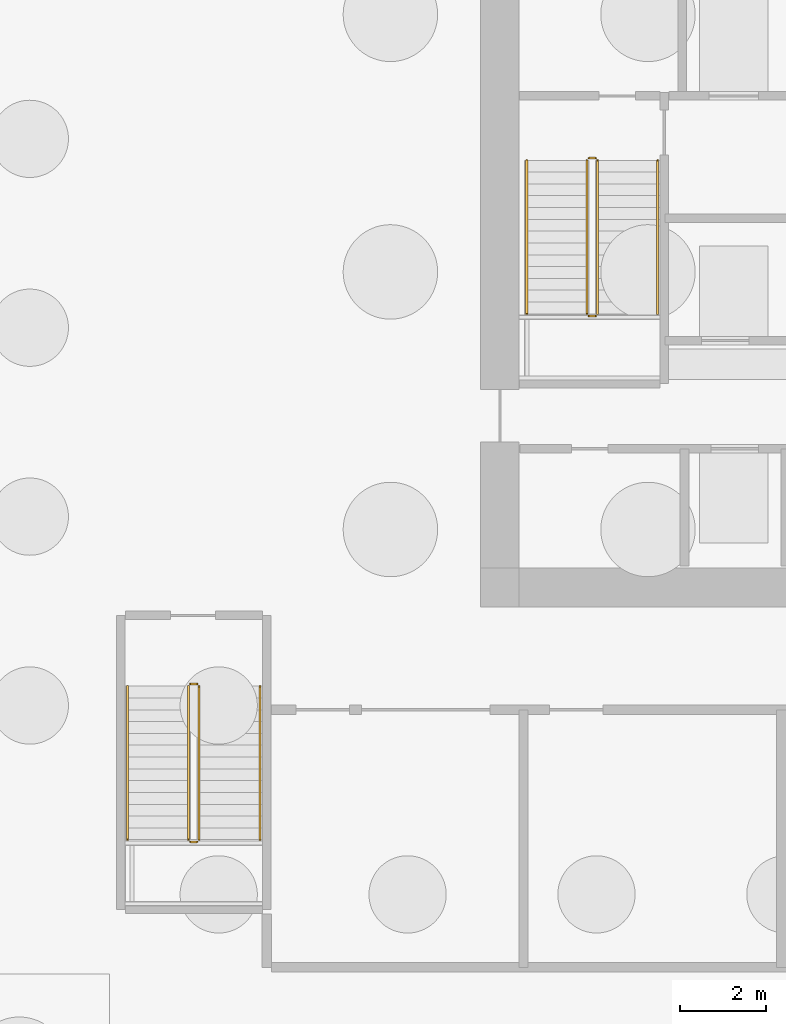
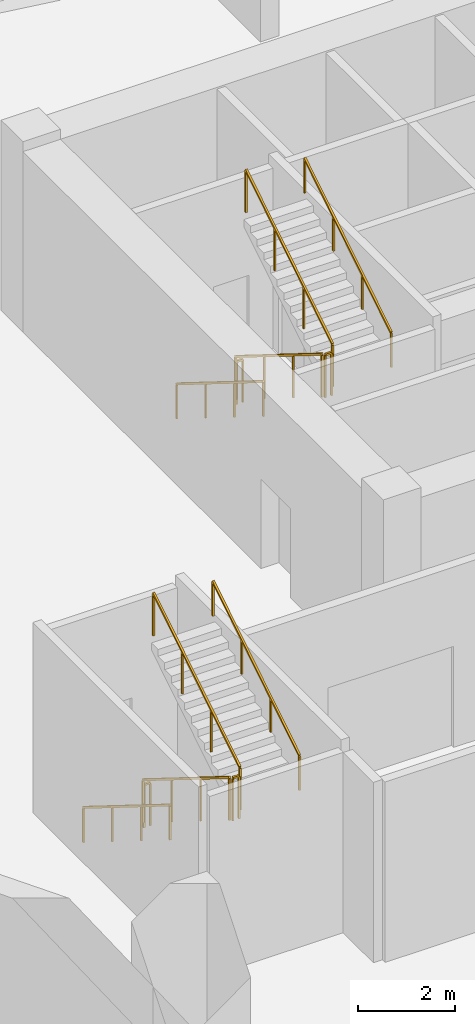
# One storey, part 6 of 9: 12 railings.
"""IFC4 building model written with IfcOpenShell, lengths in metres."""

from ifc_helpers import new_model, si_unit, direction, frame, origin, origin_2d, place, context, subcontext, project, spatial, rectangle, extrude, material, type_object, element, save


model = new_model("IFC4")

# Units and contexts
model_context = context("Model", 3, precision=1e-05, world=origin(), true_north=direction((0.0, 1.0)))
body_context = subcontext(model_context, "Body", "Model", "MODEL_VIEW")
ifc_project = project(units=[si_unit("LENGTHUNIT", "METRE"), si_unit("AREAUNIT", "SQUARE_METRE"), si_unit("VOLUMEUNIT", "CUBIC_METRE"), si_unit("PLANEANGLEUNIT", "RADIAN"), si_unit("MASSUNIT", "GRAM", prefix="KILO")], contexts=[model_context])

# Site, building, storey
site_placement = place(None, origin())
site = spatial("IfcSite", under=ifc_project, at=site_placement, CompositionType="ELEMENT")
building_placement = place(site_placement, origin())
building = spatial("IfcBuilding", under=site, at=building_placement, Name="Cinnabar Lancet Tower", CompositionType="ELEMENT")
storey_placement = place(building_placement, frame((0.0, 0.0, -4.800048828125)))
storey = spatial("IfcBuildingStorey", under=building, at=storey_placement, Name="B1", CompositionType="ELEMENT", Elevation=-4.800048828125)

# Railings
ifc_material_1 = material(Name="Painted galvanized steel balustrade", Category="steel")
railing_type_1 = type_object("IfcRailingType", Name="GUARD-STAIR", PredefinedType="GUARDRAIL", material=ifc_material_1)
railing_1_placement = place(storey_placement, frame((24.97509765625, 28.39990234375, 0.17138671875)))
element("IfcRailing", 1, at=railing_1_placement, inside=storey, type_object=railing_type_1, Name="B1 ST-1 stair guard 1", PredefinedType="GUARDRAIL", context=body_context, shape_type="SweptSolid", body=[
    extrude(rectangle(XDim=0.048095703125, YDim=0.048095703125, at=origin_2d()), frame((0.0, 0.0, 1.076171875), z_axis=(0.0, -0.848593568547, 0.529045324542), x_axis=(1.0, 0.0, 0.0)), (0.0, 0.0, 1.0), 4.212890625),
    extrude(rectangle(XDim=0.0419921875, YDim=0.0419921875, at=origin_2d()), origin(), (0.0, 0.0, 1.0), 1.052001953125),
    extrude(rectangle(XDim=0.0419921875, YDim=0.0419921875, at=origin_2d()), frame((0.0, -1.191650390625, 0.742919921875)), (0.0, 0.0, 1.0), 1.052001953125),
    extrude(rectangle(XDim=0.0419921875, YDim=0.0419921875, at=origin_2d()), frame((0.0, -2.38330078125, 1.48583984375)), (0.0, 0.0, 1.0), 1.052001953125),
    extrude(rectangle(XDim=0.0419921875, YDim=0.0419921875, at=origin_2d()), frame((0.0, -3.574951171875, 2.228759765625)), (0.0, 0.0, 1.0), 1.052001953125),
])
railing_2_placement = place(storey_placement, frame((25.02490234375, 24.77490234375, 2.400146484375)))
element("IfcRailing", 2, at=railing_2_placement, inside=storey, type_object=railing_type_1, Name="B1 ST-1 stair guard 2", PredefinedType="GUARDRAIL", context=body_context, shape_type="SweptSolid", body=[
    extrude(rectangle(XDim=0.048095703125, YDim=0.048095703125, at=origin_2d()), frame((0.0, 0.0, 1.076171875), z_axis=(1.0, 0.0, 0.0), x_axis=(0.0, 1.0, 0.0)), (0.0, 0.0, 1.0), 0.150146484375),
    extrude(rectangle(XDim=0.0419921875, YDim=0.0419921875, at=origin_2d()), origin(), (0.0, 0.0, 1.0), 1.052001953125),
    extrude(rectangle(XDim=0.0419921875, YDim=0.0419921875, at=origin_2d()), frame((0.150146484375, 0.0, 0.0)), (0.0, 0.0, 1.0), 1.052001953125),
])
railing_3_placement = place(storey_placement, frame((25.22509765625, 24.824951171875, 2.571533203125)))
element("IfcRailing", 3, at=railing_3_placement, inside=storey, type_object=railing_type_1, Name="B1 ST-1 stair guard 3", PredefinedType="GUARDRAIL", context=body_context, shape_type="SweptSolid", body=[
    extrude(rectangle(XDim=0.048095703125, YDim=0.048095703125, at=origin_2d()), frame((0.0, 0.0, 1.076171875), z_axis=(0.0, 0.848619585623, 0.529003590628), x_axis=(-1.0, 0.0, 0.0)), (0.0, 0.0, 1.0), 4.212646484375),
    extrude(rectangle(XDim=0.0419921875, YDim=0.0419921875, at=origin_2d()), origin(), (0.0, 0.0, 1.0), 1.052001953125),
    extrude(rectangle(XDim=0.0419921875, YDim=0.0419921875, at=origin_2d()), frame((0.0, 1.191650390625, 0.742919921875)), (0.0, 0.0, 1.0), 1.052001953125),
    extrude(rectangle(XDim=0.0419921875, YDim=0.0419921875, at=origin_2d()), frame((0.0, 2.38330078125, 1.485595703125)), (0.0, 0.0, 1.0), 1.052001953125),
    extrude(rectangle(XDim=0.0419921875, YDim=0.0419921875, at=origin_2d()), frame((0.0, 3.574951171875, 2.228515625)), (0.0, 0.0, 1.0), 1.052001953125),
])
railing_4_placement = place(storey_placement, frame((25.02490234375, 28.449951171875, 0.0)))
element("IfcRailing", 4, at=railing_4_placement, inside=storey, type_object=railing_type_1, Name="B1 ST-1 stair guard 4", PredefinedType="GUARDRAIL", context=body_context, shape_type="SweptSolid", body=[
    extrude(rectangle(XDim=0.048095703125, YDim=0.048095703125, at=origin_2d()), frame((0.0, 0.0, 1.076171875), z_axis=(1.0, 0.0, 0.0), x_axis=(0.0, 1.0, 0.0)), (0.0, 0.0, 1.0), 0.150146484375),
    extrude(rectangle(XDim=0.0419921875, YDim=0.0419921875, at=origin_2d()), origin(), (0.0, 0.0, 1.0), 1.052001953125),
    extrude(rectangle(XDim=0.0419921875, YDim=0.0419921875, at=origin_2d()), frame((0.150146484375, 0.0, 0.0)), (0.0, 0.0, 1.0), 1.052001953125),
])
railing_5_placement = place(storey_placement, frame((15.695068359375, 16.14990234375, 0.17138671875)))
element("IfcRailing", 5, at=railing_5_placement, inside=storey, type_object=railing_type_1, Name="B1 ST-3 stair guard 1", PredefinedType="GUARDRAIL", context=body_context, shape_type="SweptSolid", body=[
    extrude(rectangle(XDim=0.048095703125, YDim=0.048095703125, at=origin_2d()), frame((0.0, 0.0, 1.076171875), z_axis=(0.0, -0.848593568547, 0.529045324542), x_axis=(1.0, 0.0, 0.0)), (0.0, 0.0, 1.0), 4.212890625),
    extrude(rectangle(XDim=0.0419921875, YDim=0.0419921875, at=origin_2d()), origin(), (0.0, 0.0, 1.0), 1.052001953125),
    extrude(rectangle(XDim=0.0419921875, YDim=0.0419921875, at=origin_2d()), frame((0.0, -1.191650390625, 0.742919921875)), (0.0, 0.0, 1.0), 1.052001953125),
    extrude(rectangle(XDim=0.0419921875, YDim=0.0419921875, at=origin_2d()), frame((0.0, -2.38330078125, 1.48583984375)), (0.0, 0.0, 1.0), 1.052001953125),
    extrude(rectangle(XDim=0.0419921875, YDim=0.0419921875, at=origin_2d()), frame((0.0, -3.574951171875, 2.228759765625)), (0.0, 0.0, 1.0), 1.052001953125),
])
railing_6_placement = place(storey_placement, frame((15.7451171875, 12.52490234375, 2.400146484375)))
element("IfcRailing", 6, at=railing_6_placement, inside=storey, type_object=railing_type_1, Name="B1 ST-3 stair guard 2", PredefinedType="GUARDRAIL", context=body_context, shape_type="SweptSolid", body=[
    extrude(rectangle(XDim=0.048095703125, YDim=0.048095703125, at=origin_2d()), frame((0.0, 0.0, 1.076171875), z_axis=(1.0, 0.0, 0.0), x_axis=(0.0, 1.0, 0.0)), (0.0, 0.0, 1.0), 0.14990234375),
    extrude(rectangle(XDim=0.0419921875, YDim=0.0419921875, at=origin_2d()), origin(), (0.0, 0.0, 1.0), 1.052001953125),
    extrude(rectangle(XDim=0.0419921875, YDim=0.0419921875, at=origin_2d()), frame((0.14990234375, 0.0, 0.0)), (0.0, 0.0, 1.0), 1.052001953125),
])
railing_7_placement = place(storey_placement, frame((15.945068359375, 12.574951171875, 2.571533203125)))
element("IfcRailing", 7, at=railing_7_placement, inside=storey, type_object=railing_type_1, Name="B1 ST-3 stair guard 3", PredefinedType="GUARDRAIL", context=body_context, shape_type="SweptSolid", body=[
    extrude(rectangle(XDim=0.048095703125, YDim=0.048095703125, at=origin_2d()), frame((0.0, 0.0, 1.076171875), z_axis=(0.0, 0.848619585623, 0.529003590628), x_axis=(-1.0, 0.0, 0.0)), (0.0, 0.0, 1.0), 4.212646484375),
    extrude(rectangle(XDim=0.0419921875, YDim=0.0419921875, at=origin_2d()), origin(), (0.0, 0.0, 1.0), 1.052001953125),
    extrude(rectangle(XDim=0.0419921875, YDim=0.0419921875, at=origin_2d()), frame((0.0, 1.191650390625, 0.742919921875)), (0.0, 0.0, 1.0), 1.052001953125),
    extrude(rectangle(XDim=0.0419921875, YDim=0.0419921875, at=origin_2d()), frame((0.0, 2.38330078125, 1.485595703125)), (0.0, 0.0, 1.0), 1.052001953125),
    extrude(rectangle(XDim=0.0419921875, YDim=0.0419921875, at=origin_2d()), frame((0.0, 3.574951171875, 2.228515625)), (0.0, 0.0, 1.0), 1.052001953125),
])
railing_8_placement = place(storey_placement, frame((15.7451171875, 16.199951171875, 0.0)))
element("IfcRailing", 8, at=railing_8_placement, inside=storey, type_object=railing_type_1, Name="B1 ST-3 stair guard 4", PredefinedType="GUARDRAIL", context=body_context, shape_type="SweptSolid", body=[
    extrude(rectangle(XDim=0.048095703125, YDim=0.048095703125, at=origin_2d()), frame((0.0, 0.0, 1.076171875), z_axis=(1.0, 0.0, 0.0), x_axis=(0.0, 1.0, 0.0)), (0.0, 0.0, 1.0), 0.14990234375),
    extrude(rectangle(XDim=0.0419921875, YDim=0.0419921875, at=origin_2d()), origin(), (0.0, 0.0, 1.0), 1.052001953125),
    extrude(rectangle(XDim=0.0419921875, YDim=0.0419921875, at=origin_2d()), frame((0.14990234375, 0.0, 0.0)), (0.0, 0.0, 1.0), 1.052001953125),
])
ifc_material_2 = material(Name="Brushed stainless steel handrail", Category="steel")
railing_type_2 = type_object("IfcRailingType", Name="HANDRAIL-STAIR", PredefinedType="HANDRAIL", material=ifc_material_2)
railing_9_placement = place(storey_placement, frame((23.574951171875, 28.39990234375, 0.17138671875)))
element("IfcRailing", 9, at=railing_9_placement, inside=storey, type_object=railing_type_2, Name="B1 ST-1 stair handrail 1", PredefinedType="HANDRAIL", context=body_context, shape_type="SweptSolid", body=[
    extrude(rectangle(XDim=0.048095703125, YDim=0.048095703125, at=origin_2d()), frame((0.0, 0.0, 0.8759765625), z_axis=(0.0, -0.848593568547, 0.529045324542), x_axis=(1.0, 0.0, 0.0)), (0.0, 0.0, 1.0), 4.212890625),
    extrude(rectangle(XDim=0.0419921875, YDim=0.0419921875, at=origin_2d()), origin(), (0.0, 0.0, 1.0), 0.851806640625),
    extrude(rectangle(XDim=0.0419921875, YDim=0.0419921875, at=origin_2d()), frame((0.0, -1.191650390625, 0.742919921875)), (0.0, 0.0, 1.0), 0.851806640625),
    extrude(rectangle(XDim=0.0419921875, YDim=0.0419921875, at=origin_2d()), frame((0.0, -2.38330078125, 1.48583984375)), (0.0, 0.0, 1.0), 0.851806640625),
    extrude(rectangle(XDim=0.0419921875, YDim=0.0419921875, at=origin_2d()), frame((0.0, -3.574951171875, 2.228759765625)), (0.0, 0.0, 1.0), 0.851806640625),
])
railing_10_placement = place(storey_placement, frame((26.625, 24.824951171875, 2.571533203125)))
element("IfcRailing", 10, at=railing_10_placement, inside=storey, type_object=railing_type_2, Name="B1 ST-1 stair handrail 2", PredefinedType="HANDRAIL", context=body_context, shape_type="SweptSolid", body=[
    extrude(rectangle(XDim=0.048095703125, YDim=0.048095703125, at=origin_2d()), frame((0.0, 0.0, 0.8759765625), z_axis=(0.0, 0.848619585623, 0.529003590628), x_axis=(-1.0, 0.0, 0.0)), (0.0, 0.0, 1.0), 4.212646484375),
    extrude(rectangle(XDim=0.0419921875, YDim=0.0419921875, at=origin_2d()), origin(), (0.0, 0.0, 1.0), 0.851806640625),
    extrude(rectangle(XDim=0.0419921875, YDim=0.0419921875, at=origin_2d()), frame((0.0, 1.191650390625, 0.742919921875)), (0.0, 0.0, 1.0), 0.851806640625),
    extrude(rectangle(XDim=0.0419921875, YDim=0.0419921875, at=origin_2d()), frame((0.0, 2.38330078125, 1.485595703125)), (0.0, 0.0, 1.0), 0.851806640625),
    extrude(rectangle(XDim=0.0419921875, YDim=0.0419921875, at=origin_2d()), frame((0.0, 3.574951171875, 2.228515625)), (0.0, 0.0, 1.0), 0.851806640625),
])
railing_11_placement = place(storey_placement, frame((14.27490234375, 16.14990234375, 0.17138671875)))
element("IfcRailing", 11, at=railing_11_placement, inside=storey, type_object=railing_type_2, Name="B1 ST-3 stair handrail 1", PredefinedType="HANDRAIL", context=body_context, shape_type="SweptSolid", body=[
    extrude(rectangle(XDim=0.048095703125, YDim=0.048095703125, at=origin_2d()), frame((0.0, 0.0, 0.8759765625), z_axis=(0.0, -0.848593568547, 0.529045324542), x_axis=(1.0, 0.0, 0.0)), (0.0, 0.0, 1.0), 4.212890625),
    extrude(rectangle(XDim=0.0419921875, YDim=0.0419921875, at=origin_2d()), origin(), (0.0, 0.0, 1.0), 0.851806640625),
    extrude(rectangle(XDim=0.0419921875, YDim=0.0419921875, at=origin_2d()), frame((0.0, -1.191650390625, 0.742919921875)), (0.0, 0.0, 1.0), 0.851806640625),
    extrude(rectangle(XDim=0.0419921875, YDim=0.0419921875, at=origin_2d()), frame((0.0, -2.38330078125, 1.48583984375)), (0.0, 0.0, 1.0), 0.851806640625),
    extrude(rectangle(XDim=0.0419921875, YDim=0.0419921875, at=origin_2d()), frame((0.0, -3.574951171875, 2.228759765625)), (0.0, 0.0, 1.0), 0.851806640625),
])
railing_12_placement = place(storey_placement, frame((17.364990234375, 12.574951171875, 2.571533203125)))
element("IfcRailing", 12, at=railing_12_placement, inside=storey, type_object=railing_type_2, Name="B1 ST-3 stair handrail 2", PredefinedType="HANDRAIL", context=body_context, shape_type="SweptSolid", body=[
    extrude(rectangle(XDim=0.048095703125, YDim=0.048095703125, at=origin_2d()), frame((0.0, 0.0, 0.8759765625), z_axis=(0.0, 0.848619585623, 0.529003590628), x_axis=(-1.0, 0.0, 0.0)), (0.0, 0.0, 1.0), 4.212646484375),
    extrude(rectangle(XDim=0.0419921875, YDim=0.0419921875, at=origin_2d()), origin(), (0.0, 0.0, 1.0), 0.851806640625),
    extrude(rectangle(XDim=0.0419921875, YDim=0.0419921875, at=origin_2d()), frame((0.0, 1.191650390625, 0.742919921875)), (0.0, 0.0, 1.0), 0.851806640625),
    extrude(rectangle(XDim=0.0419921875, YDim=0.0419921875, at=origin_2d()), frame((0.0, 2.38330078125, 1.485595703125)), (0.0, 0.0, 1.0), 0.851806640625),
    extrude(rectangle(XDim=0.0419921875, YDim=0.0419921875, at=origin_2d()), frame((0.0, 3.574951171875, 2.228515625)), (0.0, 0.0, 1.0), 0.851806640625),
])

save(model, "model.ifc")
